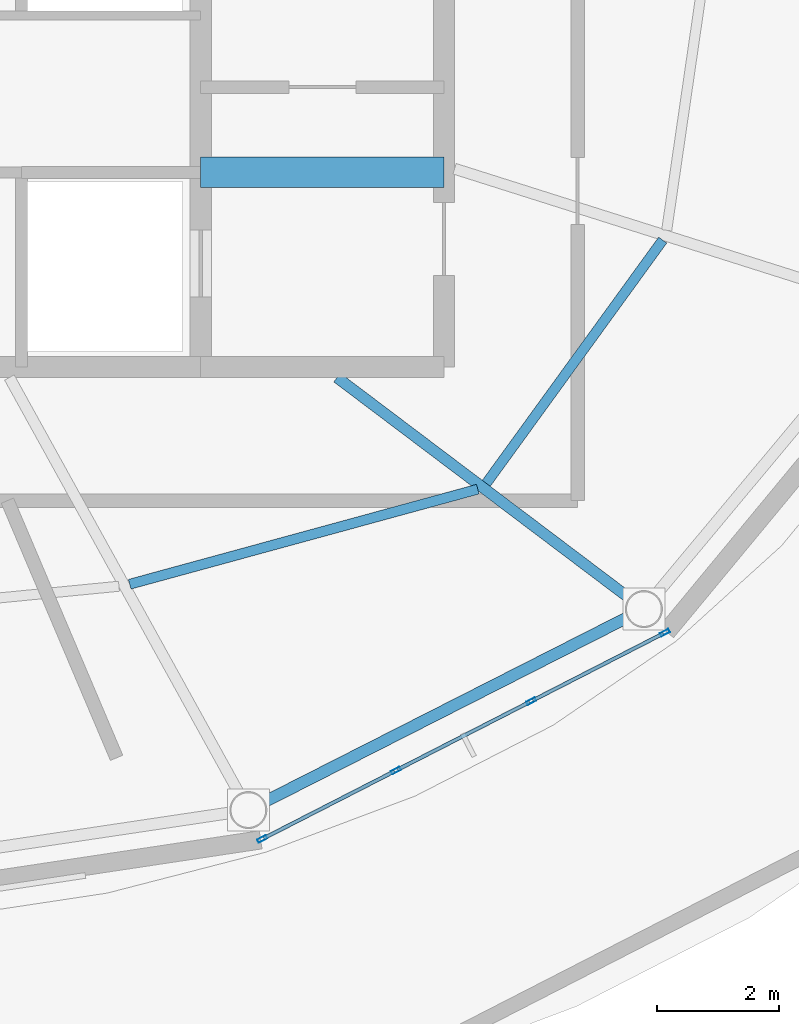
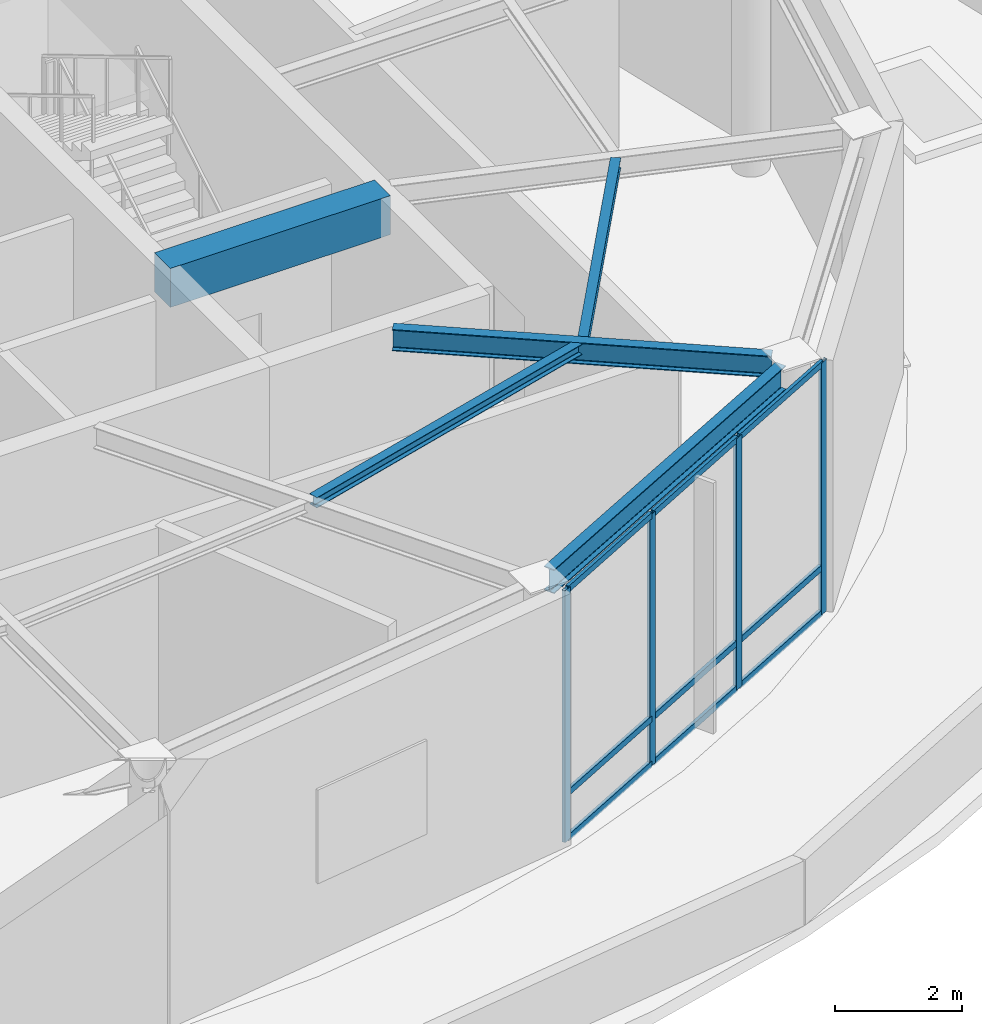
# One storey, part 6 of 15: 13 members, 5 beams, 1 element without a shape of its own.
"""IFC4 building model written with IfcOpenShell, lengths in metres."""

from ifc_helpers import new_model, si_unit, direction, frame, origin, origin_2d, place, context, subcontext, project, spatial, rectangle, hollow_rectangle, i_section, extrude, material, layer, layer_set, material_profile, profile_set, type_object, element, aggregate, save


model = new_model("IFC4")

# Units and contexts
model_context = context("Model", 3, precision=1e-05, world=origin(), true_north=direction((0.0, 1.0)))
body_context = subcontext(model_context, "Body", "Model", "MODEL_VIEW")
ifc_project = project(units=[si_unit("LENGTHUNIT", "METRE"), si_unit("AREAUNIT", "SQUARE_METRE"), si_unit("VOLUMEUNIT", "CUBIC_METRE"), si_unit("PLANEANGLEUNIT", "RADIAN"), si_unit("MASSUNIT", "GRAM", prefix="KILO")], contexts=[model_context])

# Site, building, storey
site_placement = place(None, origin())
site = spatial("IfcSite", under=ifc_project, at=site_placement, CompositionType="ELEMENT")
building_placement = place(site_placement, origin())
building = spatial("IfcBuilding", under=site, at=building_placement, Name="Sarneth Arch Tower", CompositionType="ELEMENT")
storey_placement = place(building_placement, frame((0.0, 0.0, 316.5)))
storey = spatial("IfcBuildingStorey", under=building, at=storey_placement, Name="L82", CompositionType="ELEMENT", Elevation=316.5)

# Beams
ifc_material_1 = material(Name="Steel S355", Category="steel")
ifc_material_profile_1 = material_profile(ifc_material_1, i_section(OverallWidth=0.1650390625, OverallDepth=0.200927734375, WebThickness=0.006103515625, FlangeThickness=0.01025390625, FilletRadius=0.010009765625, at=origin_2d()), Name="W200x35.9")
ifc_profile_set_1 = profile_set([ifc_material_profile_1], Name="Steel S355")
beam_type_1 = type_object("IfcBeamType", Name="BM-JOIST-200", PredefinedType="JOIST", material=ifc_profile_set_1)
beam_1_placement = place(storey_placement, frame((53.8310546875, 31.625, 4.739501953125), z_axis=(0.964665041137, 0.263479332034, 0.0), x_axis=(-0.263479332034, 0.964665041137, 0.0)))
element("IfcBeam", 1, at=beam_1_placement, inside=storey, type_object=beam_type_1, Name="L82 Secondary floor joist 14", PredefinedType="JOIST", context=body_context, shape_type="SweptSolid", body=[
    extrude(i_section(OverallWidth=0.1650390625, OverallDepth=0.200927734375, WebThickness=0.006103515625, FlangeThickness=0.01025390625, FilletRadius=0.010009765625, at=origin_2d()), origin(), (0.0, 0.0, 1.0), 5.935791015625),
])
beam_2_placement = place(storey_placement, frame((59.69677734375, 33.285400390625, 4.739501953125), z_axis=(0.587186987897, 0.809451321109, 0.0), x_axis=(-0.809451321109, 0.587186987897, 0.0)))
element("IfcBeam", 2, at=beam_2_placement, inside=storey, type_object=beam_type_1, Name="L82 Secondary floor joist 15", PredefinedType="JOIST", context=body_context, shape_type="SweptSolid", body=[
    extrude(i_section(OverallWidth=0.1650390625, OverallDepth=0.200927734375, WebThickness=0.006103515625, FlangeThickness=0.01025390625, FilletRadius=0.010009765625, at=origin_2d()), origin(), (0.0, 0.0, 1.0), 4.940673828125),
])
ifc_material_2 = material(Name="Concrete C50/60", Category="concrete")
ifc_material_profile_2 = material_profile(ifc_material_2, rectangle(XDim=0.5, YDim=0.75, at=origin_2d()), Name="RC-500x750")
ifc_profile_set_2 = profile_set([ifc_material_profile_2], Name="Concrete C50/60")
beam_type_2 = type_object("IfcBeamType", Name="BM-LINTEL-RC", PredefinedType="LINTEL", material=ifc_profile_set_2)
beam_3_placement = place(storey_placement, frame((55.0, 38.39990234375, 4.465087890625), z_axis=(1.0, 0.0, 0.0), x_axis=(0.0, 1.0, 0.0)))
element("IfcBeam", 3, at=beam_3_placement, inside=storey, type_object=beam_type_2, Name="L82 Core coupling lintel E", PredefinedType="LINTEL", context=body_context, shape_type="SweptSolid", body=[
    extrude(rectangle(XDim=0.5, YDim=0.75, at=origin_2d()), origin(), (0.0, 0.0, 1.0), 4.0),
])
ifc_material_3 = material(Name="Steel S355", Category="steel")
ifc_material_profile_3 = material_profile(ifc_material_3, i_section(OverallWidth=0.179931640625, OverallDepth=0.4130859375, WebThickness=0.009765625, FlangeThickness=0.01611328125, FilletRadius=0.01611328125, at=origin_2d()), Name="W410x75")
ifc_profile_set_3 = profile_set([ifc_material_profile_3], Name="Steel S355")
beam_type_3 = type_object("IfcBeamType", Name="BM-RAD-410B", PredefinedType="BEAM", material=ifc_profile_set_3)
beam_4_placement = place(storey_placement, frame((57.242431640625, 35.02490234375, 4.633544921875), z_axis=(0.798219333929, -0.602366910563, 0.0), x_axis=(0.602366910563, 0.798219333929, 0.0)))
element("IfcBeam", 4, at=beam_4_placement, inside=storey, type_object=beam_type_3, Name="L82 Radial floor girder 15", PredefinedType="BEAM", context=body_context, shape_type="SweptSolid", body=[
    extrude(i_section(OverallWidth=0.179931640625, OverallDepth=0.4130859375, WebThickness=0.009765625, FlangeThickness=0.01611328125, FilletRadius=0.01611328125, at=origin_2d()), origin(), (0.0, 0.0, 1.0), 6.01708984375),
])
ifc_material_4 = material(Name="Steel S355", Category="steel")
ifc_material_profile_4 = material_profile(ifc_material_4, i_section(OverallWidth=0.19189453125, OverallDepth=0.462890625, WebThickness=0.010498046875, FlangeThickness=0.017578125, FilletRadius=0.01806640625, at=origin_2d()), Name="W460x89")
ifc_profile_set_4 = profile_set([ifc_material_profile_4], Name="Steel S355")
beam_type_4 = type_object("IfcBeamType", Name="BM-RAD-460B", PredefinedType="BEAM", material=ifc_profile_set_4)
beam_5_placement = place(storey_placement, frame((56.054931640625, 28.049072265625, 4.6083984375), z_axis=(0.891524580884, 0.45297231889, 0.0), x_axis=(-0.45297231889, 0.891524580884, 0.0)))
element("IfcBeam", 5, at=beam_5_placement, inside=storey, type_object=beam_type_4, Name="L82 Perimeter spandrel beam 14", PredefinedType="BEAM", context=body_context, shape_type="SweptSolid", body=[
    extrude(i_section(OverallWidth=0.19189453125, OverallDepth=0.462890625, WebThickness=0.010498046875, FlangeThickness=0.017578125, FilletRadius=0.01806640625, at=origin_2d()), origin(), (0.0, 0.0, 1.0), 6.6875),
])

# Curtain wall, members
ifc_material_5 = material(Name="Anodised aluminium Type AA25 and solar-control low-e laminated IGU", Category="aluminium")
ifc_layer = layer(ifc_material_5, 0.18994140625)
ifc_layer_set = layer_set([ifc_layer], Name="Anodised aluminium Type AA25 and solar-control low-e laminated IGU")
curtain_wall_type = type_object("IfcCurtainWallType", Name="CW-CROWN-DRUM", PredefinedType="NOTDEFINED", material=ifc_layer_set)
curtain_wall_placement = place(storey_placement, origin())
curtain_wall = element("IfcCurtainWall", 6, at=curtain_wall_placement, inside=storey, type_object=curtain_wall_type, Name="L82 Unitised curtain wall facet 14", PredefinedType="NOTDEFINED")
ifc_material_6 = material(Name="Anodised Aluminium 6063-T6", Category="aluminium")
ifc_material_profile_5 = material_profile(ifc_material_6, hollow_rectangle(XDim=0.06005859375, YDim=0.159912109375, WallThickness=0.00390625, at=origin_2d()), Name="AL-MULL-160x60x4")
ifc_profile_set_5 = profile_set([ifc_material_profile_5], Name="Anodised Aluminium 6063-T6")
member_type_1 = type_object("IfcMemberType", Name="CW-MULLION", PredefinedType="MULLION", material=ifc_profile_set_5)
member_1_placement = place(storey_placement, frame((56.01220703125, 27.434814453125, 0.0), z_axis=(0.0, 0.0, 1.0), x_axis=(-0.456040359598, 0.8899590948, 0.0)))
member_1 = element("IfcMember", 7, at=member_1_placement, type_object=member_type_1, Name="CW-SYS-7 mullion 1", PredefinedType="MULLION", context=body_context, shape_type="SweptSolid", body=[
    extrude(hollow_rectangle(XDim=0.06005859375, YDim=0.159912109375, WallThickness=0.00390625, at=origin_2d()), origin(), (0.0, 0.0, 1.0), 4.840087890625),
])
member_2_placement = place(storey_placement, frame((58.210693359375, 28.5615234375, 0.0), z_axis=(0.0, 0.0, 1.0), x_axis=(-0.456040359598, 0.8899590948, 0.0)))
member_2 = element("IfcMember", 8, at=member_2_placement, type_object=member_type_1, Name="CW-SYS-7 mullion 2", PredefinedType="MULLION", context=body_context, shape_type="SweptSolid", body=[
    extrude(hollow_rectangle(XDim=0.06005859375, YDim=0.159912109375, WallThickness=0.00390625, at=origin_2d()), origin(), (0.0, 0.0, 1.0), 4.840087890625),
])
member_3_placement = place(storey_placement, frame((60.435791015625, 29.70166015625, 0.0), z_axis=(0.0, 0.0, 1.0), x_axis=(-0.456040359598, 0.8899590948, 0.0)))
member_3 = element("IfcMember", 9, at=member_3_placement, type_object=member_type_1, Name="CW-SYS-7 mullion 3", PredefinedType="MULLION", context=body_context, shape_type="SweptSolid", body=[
    extrude(hollow_rectangle(XDim=0.06005859375, YDim=0.159912109375, WallThickness=0.00390625, at=origin_2d()), origin(), (0.0, 0.0, 1.0), 4.840087890625),
])
member_4_placement = place(storey_placement, frame((62.63427734375, 30.828125, 0.0), z_axis=(0.0, 0.0, 1.0), x_axis=(-0.456040359598, 0.8899590948, 0.0)))
member_4 = element("IfcMember", 10, at=member_4_placement, type_object=member_type_1, Name="CW-SYS-7 mullion 4", PredefinedType="MULLION", context=body_context, shape_type="SweptSolid", body=[
    extrude(hollow_rectangle(XDim=0.06005859375, YDim=0.159912109375, WallThickness=0.00390625, at=origin_2d()), origin(), (0.0, 0.0, 1.0), 4.840087890625),
])
ifc_material_7 = material(Name="Anodised Aluminium 6063-T6", Category="aluminium")
ifc_material_profile_6 = material_profile(ifc_material_7, hollow_rectangle(XDim=0.06005859375, YDim=0.1201171875, WallThickness=0.00390625, at=origin_2d()), Name="AL-TRAN-120x60x4")
ifc_profile_set_6 = profile_set([ifc_material_profile_6], Name="Anodised Aluminium 6063-T6")
member_type_2 = type_object("IfcMemberType", Name="CW-TRANSOM", PredefinedType="USERDEFINED", material=ifc_profile_set_6)
member_5_placement = place(storey_placement, frame((56.0390625, 27.448486328125, 0.030029296875), z_axis=(0.889967167286, 0.456024605864, 0.0), x_axis=(-0.456024605864, 0.889967167286, 0.0)))
member_5 = element("IfcMember", 11, at=member_5_placement, type_object=member_type_2, Name="CW-SYS-7 transom 1.1", ObjectType="TRANSOM", PredefinedType="USERDEFINED", context=body_context, shape_type="SweptSolid", body=[
    extrude(hollow_rectangle(XDim=0.06005859375, YDim=0.1201171875, WallThickness=0.00390625, at=origin_2d()), origin(), (0.0, 0.0, 1.0), 2.41015625),
])
member_6_placement = place(storey_placement, frame((56.0390625, 27.448486328125, 0.89990234375), z_axis=(0.889967167286, 0.456024605864, 0.0), x_axis=(-0.456024605864, 0.889967167286, 0.0)))
member_6 = element("IfcMember", 12, at=member_6_placement, type_object=member_type_2, Name="CW-SYS-7 transom 1.2", ObjectType="TRANSOM", PredefinedType="USERDEFINED", context=body_context, shape_type="SweptSolid", body=[
    extrude(hollow_rectangle(XDim=0.06005859375, YDim=0.1201171875, WallThickness=0.00390625, at=origin_2d()), origin(), (0.0, 0.0, 1.0), 2.41015625),
])
member_7_placement = place(storey_placement, frame((56.0390625, 27.448486328125, 4.81005859375), z_axis=(0.889967167286, 0.456024605864, 0.0), x_axis=(-0.456024605864, 0.889967167286, 0.0)))
member_7 = element("IfcMember", 13, at=member_7_placement, type_object=member_type_2, Name="CW-SYS-7 transom 1.3", ObjectType="TRANSOM", PredefinedType="USERDEFINED", context=body_context, shape_type="SweptSolid", body=[
    extrude(hollow_rectangle(XDim=0.06005859375, YDim=0.1201171875, WallThickness=0.00390625, at=origin_2d()), origin(), (0.0, 0.0, 1.0), 2.41015625),
])
member_8_placement = place(storey_placement, frame((58.237548828125, 28.5751953125, 0.030029296875), z_axis=(0.889961168319, 0.45603631312, 0.0), x_axis=(-0.45603631312, 0.889961168319, 0.0)))
member_8 = element("IfcMember", 14, at=member_8_placement, type_object=member_type_2, Name="CW-SYS-7 transom 2.1", ObjectType="TRANSOM", PredefinedType="USERDEFINED", context=body_context, shape_type="SweptSolid", body=[
    extrude(hollow_rectangle(XDim=0.06005859375, YDim=0.1201171875, WallThickness=0.00390625, at=origin_2d()), origin(), (0.0, 0.0, 1.0), 2.440185546875),
])
member_9_placement = place(storey_placement, frame((58.237548828125, 28.5751953125, 0.89990234375), z_axis=(0.889961168319, 0.45603631312, 0.0), x_axis=(-0.45603631312, 0.889961168319, 0.0)))
member_9 = element("IfcMember", 15, at=member_9_placement, type_object=member_type_2, Name="CW-SYS-7 transom 2.2", ObjectType="TRANSOM", PredefinedType="USERDEFINED", context=body_context, shape_type="SweptSolid", body=[
    extrude(hollow_rectangle(XDim=0.06005859375, YDim=0.1201171875, WallThickness=0.00390625, at=origin_2d()), origin(), (0.0, 0.0, 1.0), 2.440185546875),
])
member_10_placement = place(storey_placement, frame((58.237548828125, 28.5751953125, 4.81005859375), z_axis=(0.889961168319, 0.45603631312, 0.0), x_axis=(-0.45603631312, 0.889961168319, 0.0)))
member_10 = element("IfcMember", 16, at=member_10_placement, type_object=member_type_2, Name="CW-SYS-7 transom 2.3", ObjectType="TRANSOM", PredefinedType="USERDEFINED", context=body_context, shape_type="SweptSolid", body=[
    extrude(hollow_rectangle(XDim=0.06005859375, YDim=0.1201171875, WallThickness=0.00390625, at=origin_2d()), origin(), (0.0, 0.0, 1.0), 2.440185546875),
])
member_11_placement = place(storey_placement, frame((60.462646484375, 29.71533203125, 0.030029296875), z_axis=(0.889967167286, 0.456024605864, 0.0), x_axis=(-0.456024605864, 0.889967167286, 0.0)))
member_11 = element("IfcMember", 17, at=member_11_placement, type_object=member_type_2, Name="CW-SYS-7 transom 3.1", ObjectType="TRANSOM", PredefinedType="USERDEFINED", context=body_context, shape_type="SweptSolid", body=[
    extrude(hollow_rectangle(XDim=0.06005859375, YDim=0.1201171875, WallThickness=0.00390625, at=origin_2d()), origin(), (0.0, 0.0, 1.0), 2.41015625),
])
member_12_placement = place(storey_placement, frame((60.462646484375, 29.71533203125, 0.89990234375), z_axis=(0.889967167286, 0.456024605864, 0.0), x_axis=(-0.456024605864, 0.889967167286, 0.0)))
member_12 = element("IfcMember", 18, at=member_12_placement, type_object=member_type_2, Name="CW-SYS-7 transom 3.2", ObjectType="TRANSOM", PredefinedType="USERDEFINED", context=body_context, shape_type="SweptSolid", body=[
    extrude(hollow_rectangle(XDim=0.06005859375, YDim=0.1201171875, WallThickness=0.00390625, at=origin_2d()), origin(), (0.0, 0.0, 1.0), 2.41015625),
])
member_13_placement = place(storey_placement, frame((60.462646484375, 29.71533203125, 4.81005859375), z_axis=(0.889967167286, 0.456024605864, 0.0), x_axis=(-0.456024605864, 0.889967167286, 0.0)))
member_13 = element("IfcMember", 19, at=member_13_placement, type_object=member_type_2, Name="CW-SYS-7 transom 3.3", ObjectType="TRANSOM", PredefinedType="USERDEFINED", context=body_context, shape_type="SweptSolid", body=[
    extrude(hollow_rectangle(XDim=0.06005859375, YDim=0.1201171875, WallThickness=0.00390625, at=origin_2d()), origin(), (0.0, 0.0, 1.0), 2.41015625),
])
aggregate(curtain_wall, [member_1, member_2, member_3, member_4, member_5, member_6, member_7, member_8, member_9, member_10, member_11, member_12, member_13])

save(model, "model.ifc")
